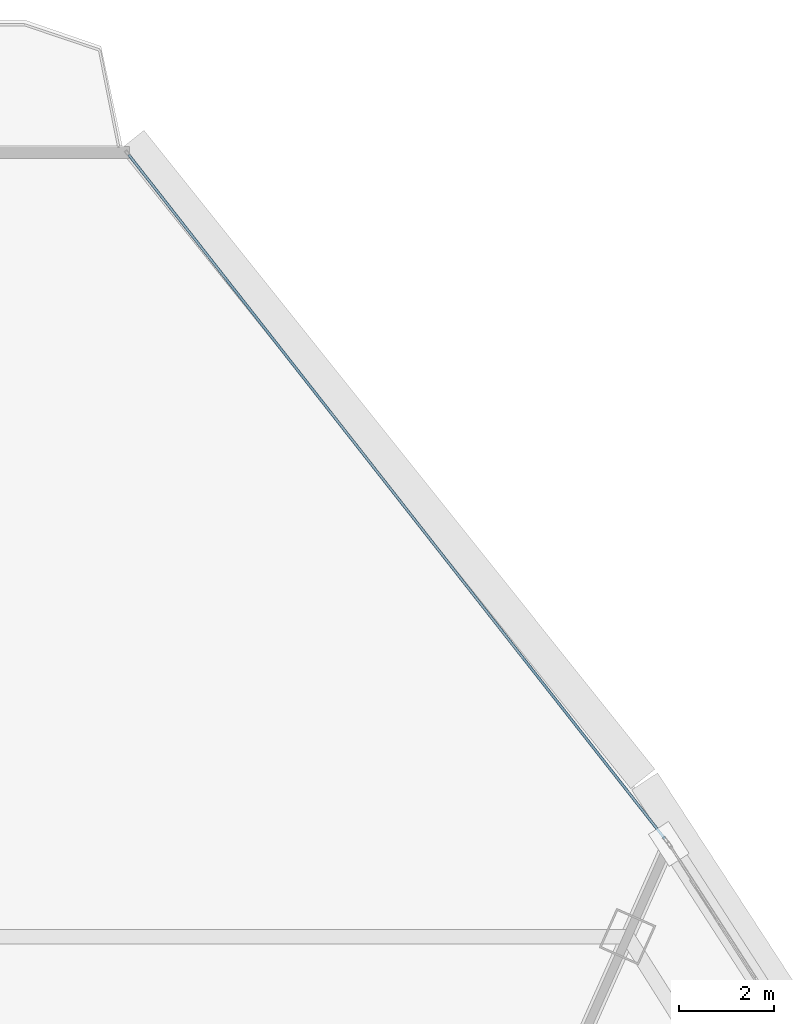
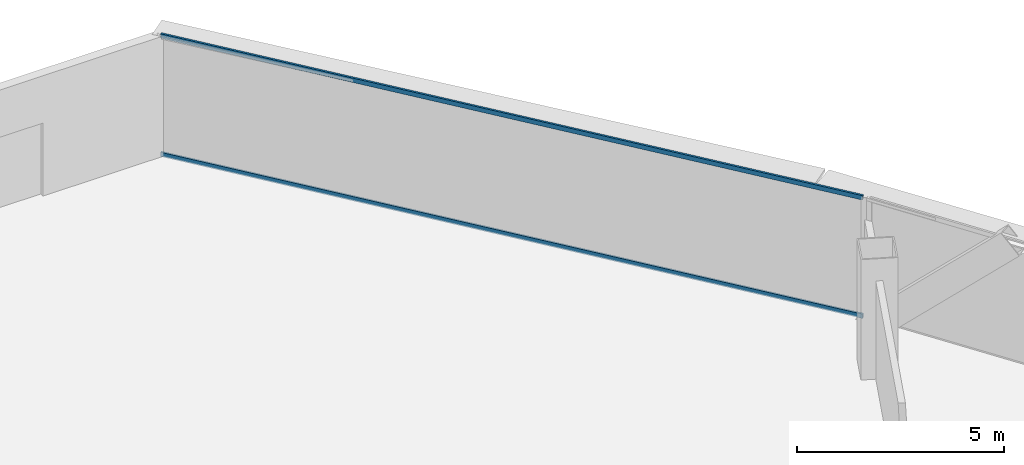
# One storey, part 23 of 37: 2 members, 1 element without a shape of its own.
"""IFC4 building model written with IfcOpenShell, lengths in metres."""

from ifc_helpers import new_model, si_unit, direction, frame, origin, origin_2d, place, context, subcontext, project, spatial, hollow_rectangle, extrude, source, transform, mapped, material, layer, layer_set, material_profile, profile_set, type_object, element, aggregate, save


model = new_model("IFC4")

# Units and contexts
model_context = context("Model", 3, precision=1e-05, world=origin(), true_north=direction((0.0, 1.0)))
body_context = subcontext(model_context, "Body", "Model", "MODEL_VIEW")
ifc_project = project(units=[si_unit("LENGTHUNIT", "METRE"), si_unit("AREAUNIT", "SQUARE_METRE"), si_unit("VOLUMEUNIT", "CUBIC_METRE"), si_unit("PLANEANGLEUNIT", "RADIAN"), si_unit("MASSUNIT", "GRAM", prefix="KILO"), si_unit("THERMODYNAMICTEMPERATUREUNIT", "KELVIN"), si_unit("POWERUNIT", "WATT")], contexts=[model_context])

# Site, building, storey
site_placement = place(None, origin())
site = spatial("IfcSite", under=ifc_project, at=site_placement, CompositionType="ELEMENT")
building_placement = place(site_placement, origin())
building = spatial("IfcBuilding", under=site, at=building_placement, Name="Yunzhuo Pagoda Commons", CompositionType="ELEMENT")
storey_placement = place(building_placement, frame((0.0, 0.0, 192.360107421875)))
storey = spatial("IfcBuildingStorey", under=building, at=storey_placement, Name="L48", CompositionType="ELEMENT", Elevation=192.360107421875)

# Curtain wall, members
ifc_material = material(Name="Anodized aluminium 6063-T6", Category="aluminium")
ifc_layer = layer(ifc_material, 0.14990234375)
ifc_layer_set = layer_set([ifc_layer], Name="Anodized aluminium 6063-T6")
curtain_wall_type = type_object("IfcCurtainWallType", Name="CW-MID Mid-Zone Ribbon Curtain Wall", PredefinedType="NOTDEFINED", material=ifc_layer_set)
curtain_wall_placement = place(storey_placement, origin())
curtain_wall = element("IfcCurtainWall", 1, at=curtain_wall_placement, inside=storey, type_object=curtain_wall_type, Name="L48 curtain wall CW-L48-F2B5", PredefinedType="NOTDEFINED")
ifc_material_profile = material_profile(ifc_material, hollow_rectangle(XDim=0.054931640625, YDim=0.1298828125, WallThickness=0.00341796875, at=origin_2d()), Name="Anodized aluminium 6063-T6")
ifc_profile_set = profile_set([ifc_material_profile], Name="Anodized aluminium 6063-T6")
member_type = type_object("IfcMemberType", Name="CW-MID-T Transom RHS 130x55x3.5", PredefinedType="USERDEFINED", material=ifc_profile_set)
shared_shape = source(origin(), body_context, "Body", "SweptSolid", [
    extrude(hollow_rectangle(XDim=0.054931640625, YDim=0.1298828125, WallThickness=0.00341796875, at=origin_2d()), origin(), (0.0, 0.0, 1.0), 18.23681640625),
])
member_1_placement = place(storey_placement, frame((63.482177734375, 68.76708984375, 0.02734375), z_axis=(-0.616886369969, 0.78705222606, 0.0), x_axis=(-0.78705222606, -0.616886369969, 0.0)))
member_1 = element("IfcMember", 2, at=member_1_placement, type_object=member_type, Name="CW transom 1.1", ObjectType="TRANSOM", PredefinedType="USERDEFINED", context=body_context, shape_type="MappedRepresentation", body=[
    mapped(shared_shape, transform((0.0, 0.0, 0.0), scale=1.0)),
])
member_2_placement = place(storey_placement, frame((63.482177734375, 68.76708984375, 3.512451171875), z_axis=(-0.616886369969, 0.78705222606, 0.0), x_axis=(-0.78705222606, -0.616886369969, 0.0)))
member_2 = element("IfcMember", 3, at=member_2_placement, type_object=member_type, Name="CW transom 1.2", ObjectType="TRANSOM", PredefinedType="USERDEFINED", context=body_context, shape_type="MappedRepresentation", body=[
    mapped(shared_shape, transform((0.0, 0.0, 0.0), scale=1.0)),
])
aggregate(curtain_wall, [member_1, member_2])

save(model, "model.ifc")
